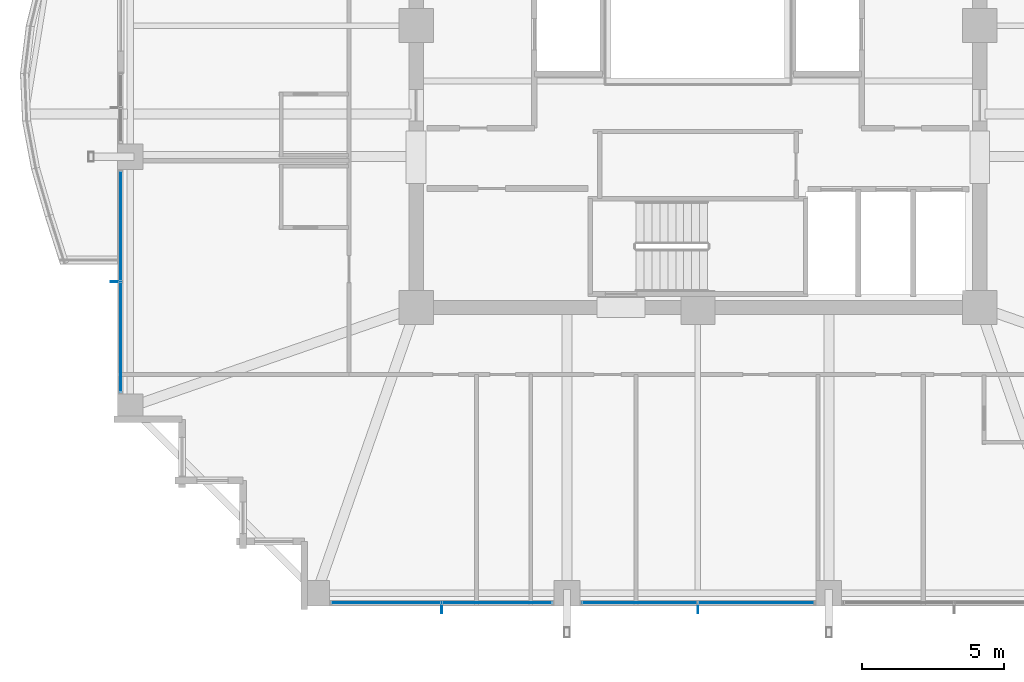
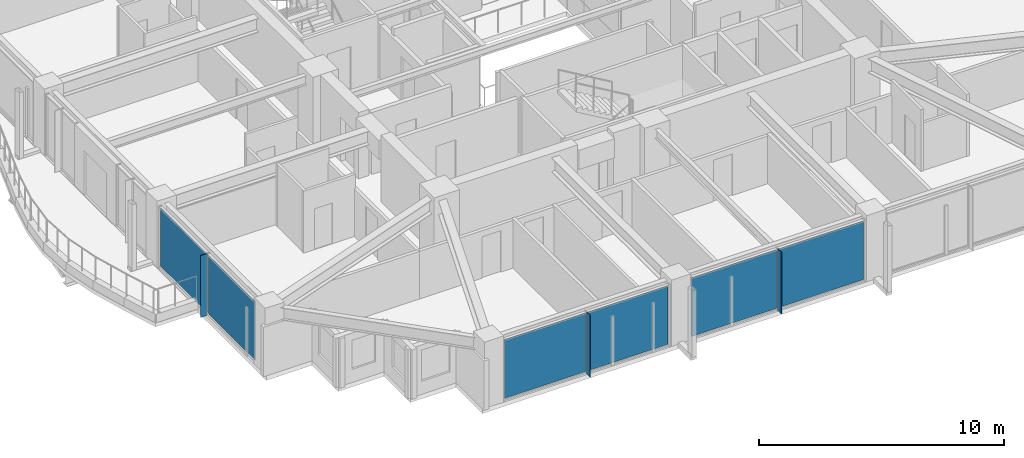
# One storey, part 22 of 35: 9 plates, 3 elements without a shape of their own.
"""IFC4 building model written with IfcOpenShell, lengths in metres."""

import ifcopenshell
import ifcopenshell.guid

model = None  # the IFC model being written
_history = None  # IfcOwnerHistory: only IFC2X3 demands one
_inside = {}  # id of a spatial element -> (the spatial element, [elements in it])
_under = {}  # id of a project, library or spatial element -> (it, [spatial elements below it])
_declared = {}  # id of a project -> (the project, [libraries it declares])
_typed = {}  # id of a type object -> (the type object, [elements of that type])
_made_of = {}  # id of a material, layer set ... -> (it, [elements and type objects made of it])


def new_model(schema):
    """Start an empty IFC model of exactly this schema.

    Asked for "IFC4X3", IfcOpenShell would pick the latest addendum, in which some entities
    have other attributes; the version numbers below select the first issue.
    IFC2X3 requires an IfcOwnerHistory on every rooted entity: one is made here for all.
    """
    global model, _history
    if schema == "IFC4X3":
        model = ifcopenshell.file(schema_version=(4, 3, 0, 0))
    else:
        model = ifcopenshell.file(schema=schema)
    _inside.clear()
    _under.clear()
    _declared.clear()
    _typed.clear()
    _made_of.clear()
    _history = None
    if model.schema == "IFC2X3":
        org = make("IfcOrganization", Name="unknown")
        user = make(
            "IfcPersonAndOrganization",
            ThePerson=make("IfcPerson", FamilyName="unknown"),
            TheOrganization=org,
        )
        app = make(
            "IfcApplication",
            ApplicationDeveloper=org,
            Version="unknown",
            ApplicationFullName="unknown",
            ApplicationIdentifier="unknown",
        )
        _history = make(
            "IfcOwnerHistory",
            OwningUser=user,
            OwningApplication=app,
            ChangeAction="ADDED",
            CreationDate=0,
        )
    return model


def make(cls, **values):
    """One entity of the class cls with the attributes given. An attribute that is None is left unset."""
    return model.create_entity(
        cls, **{name: value for name, value in values.items() if value is not None}
    )


def rooted(cls, **values):
    """An entity with a GlobalId (a new one), such as an element, a storey or a relation."""
    return make(cls, GlobalId=ifcopenshell.guid.new(), OwnerHistory=_history, **values)


def si_unit(unit_type, name, prefix=None):
    """IfcSIUnit, for example si_unit("LENGTHUNIT", "METRE", prefix="MILLI")."""
    return make("IfcSIUnit", UnitType=unit_type, Prefix=prefix, Name=name)


def assignment(units):
    """IfcUnitAssignment: the units of a project."""
    return None if units is None else make("IfcUnitAssignment", Units=units)


def point(xyz):
    """IfcCartesianPoint."""
    return None if xyz is None else make("IfcCartesianPoint", Coordinates=xyz)


def direction(xyz):
    """IfcDirection."""
    return None if xyz is None else make("IfcDirection", DirectionRatios=xyz)


def frame(location, z_axis=None, x_axis=None):
    """IfcAxis2Placement3D, a coordinate frame: its origin and axes. An axis left out is left unset."""
    return make(
        "IfcAxis2Placement3D",
        Location=point(location),
        Axis=direction(z_axis),
        RefDirection=direction(x_axis),
    )


def frame_2d(location, x_axis=None):
    """IfcAxis2Placement2D, a coordinate frame in the plane: its origin and x axis."""
    return make(
        "IfcAxis2Placement2D", Location=point(location), RefDirection=direction(x_axis)
    )


def origin():
    """The frame at (0, 0, 0) with its axes left unset."""
    return frame((0.0, 0.0, 0.0))


def origin_2d():
    """The frame at (0, 0) in the plane with its x axis left unset."""
    return frame_2d((0.0, 0.0))


def place(relative_to, where):
    """IfcLocalPlacement: puts the frame where relative to a parent placement (None: the world)."""
    return make(
        "IfcLocalPlacement", PlacementRelTo=relative_to, RelativePlacement=where
    )


def context(
    kind, dimensions, precision=None, world=None, true_north=None, identifier=None
):
    """IfcGeometricRepresentationContext, for example the 3D "Model" context."""
    return make(
        "IfcGeometricRepresentationContext",
        ContextIdentifier=identifier,
        ContextType=kind,
        CoordinateSpaceDimension=dimensions,
        Precision=precision,
        WorldCoordinateSystem=world,
        TrueNorth=true_north,
    )


def subcontext(parent, identifier, kind, view, scale=None):
    """IfcGeometricRepresentationSubContext, for example "Body" below "Model"."""
    return make(
        "IfcGeometricRepresentationSubContext",
        ContextIdentifier=identifier,
        ContextType=kind,
        ParentContext=parent,
        TargetScale=scale,
        TargetView=view,
    )


def project(units=None, contexts=None):
    """IfcProject with its units and contexts."""
    return rooted(
        "IfcProject",
        Name="project",
        RepresentationContexts=contexts,
        UnitsInContext=assignment(units),
    )


def spatial(cls, under=None, at=None, **own):
    """A site, building, storey or space (cls), placed at a placement, below another one or the project."""
    s = rooted(cls, ObjectPlacement=at, **own)
    if under is not None:
        _under.setdefault(under.id(), (under, []))[1].append(s)
    return s


def profile(cls, at=None, kind="AREA", **sizes):
    """A parametric profile (cls). Its sizes go by their IFC names, for example OverallWidth=200.0."""
    return make(cls, ProfileType=kind, Position=at, **sizes)


def rectangle(**sizes):
    """IfcRectangleProfileDef."""
    return profile("IfcRectangleProfileDef", **sizes)


def extrude(swept, where, along, depth):
    """IfcExtrudedAreaSolid: the profile swept, set in the frame where, extruded along a direction by depth."""
    return make(
        "IfcExtrudedAreaSolid",
        SweptArea=swept,
        Position=where,
        ExtrudedDirection=direction(along),
        Depth=depth,
    )


def shape(context_of_items, identifier, shape_type, items):
    """IfcShapeRepresentation: the items that make up one representation, for example the "Body"."""
    return make(
        "IfcShapeRepresentation",
        ContextOfItems=context_of_items,
        RepresentationIdentifier=identifier,
        RepresentationType=shape_type,
        Items=items,
    )


def material(Name=None, Category=None):
    """IfcMaterial."""
    return make("IfcMaterial", Name=Name, Category=Category)


def layer(
    of_material, thickness, ventilated=None, Name=None, Category=None, Priority=None
):
    """IfcMaterialLayer: one layer of a wall or slab, of a material (None: an air gap)."""
    return make(
        "IfcMaterialLayer",
        Material=of_material,
        LayerThickness=thickness,
        IsVentilated=ventilated,
        Name=Name,
        Category=Category,
        Priority=Priority,
    )


def layer_set(layers, Name=None):
    """IfcMaterialLayerSet."""
    return make("IfcMaterialLayerSet", MaterialLayers=layers, LayerSetName=Name)


def made_of(thing, what):
    """Note that an element or type object is made of a material, layer set ...; save() writes the relation."""
    if what is not None:
        _made_of.setdefault(what.id(), (what, []))[1].append(thing)
    return thing


def type_object(cls, material=None, **own):
    """A type object (cls), such as IfcWallType, which elements share."""
    return made_of(rooted(cls, **own), material)


def element(
    cls,
    number,
    at=None,
    inside=None,
    cuts=None,
    type_object=None,
    material=None,
    context=None,
    identifier="Body",
    shape_type=None,
    held_by="IfcProductDefinitionShape",
    body=None,
    shapes=None,
    **own,
):
    """One element of the class cls, such as IfcWall. Its Tag is "e" and its number.

    at: its placement. inside: the storey or other place that contains it. cuts: it is an
    opening in that element (IfcRelVoidsElement). A single representation is given by context,
    identifier, shape_type and body (its items); several are given by shapes. held_by: the class
    of the entity that holds the representations. save() writes the other relations.
    """
    e = rooted(cls, Tag="e%d" % number, ObjectPlacement=at, **own)
    if body is not None:
        shapes = [shape(context, identifier, shape_type, body)]
    if shapes is not None:
        e.Representation = make(held_by, Representations=shapes)
    if inside is not None:
        _inside.setdefault(inside.id(), (inside, []))[1].append(e)
    if cuts is not None:
        rooted(
            "IfcRelVoidsElement", RelatingBuildingElement=cuts, RelatedOpeningElement=e
        )
    if type_object is not None:
        _typed.setdefault(type_object.id(), (type_object, []))[1].append(e)
    return made_of(e, material)


def aggregate(whole, parts):
    """IfcRelAggregates: a whole, such as a stair, and the parts it consists of."""
    return rooted("IfcRelAggregates", RelatingObject=whole, RelatedObjects=parts)


def save(model, path):
    """Write the relations noted so far, then the file.

    IfcRelAggregates (storeys below a building ...), IfcRelContainedInSpatialStructure (elements
    in a storey), IfcRelDefinesByType, IfcRelAssociatesMaterial and IfcRelDeclares: one each for
    every whole, place, type object, material and project.
    """
    for whole, parts in _under.values():
        aggregate(whole, parts)
    for where, things in _inside.values():
        rooted(
            "IfcRelContainedInSpatialStructure",
            RelatedElements=things,
            RelatingStructure=where,
        )
    for kind, things in _typed.values():
        rooted("IfcRelDefinesByType", RelatedObjects=things, RelatingType=kind)
    for what, things in _made_of.values():
        rooted("IfcRelAssociatesMaterial", RelatedObjects=things, RelatingMaterial=what)
    for by, libraries in _declared.values():
        rooted("IfcRelDeclares", RelatingContext=by, RelatedDefinitions=libraries)
    model.write(path)


model = new_model("IFC4")

# Units and contexts
model_context = context("Model", 3, precision=1e-05, world=origin(), true_north=direction((0.0, 1.0)))
body_context = subcontext(model_context, "Body", "Model", "MODEL_VIEW")
ifc_project = project(units=[si_unit("LENGTHUNIT", "METRE"), si_unit("AREAUNIT", "SQUARE_METRE"), si_unit("VOLUMEUNIT", "CUBIC_METRE"), si_unit("PLANEANGLEUNIT", "RADIAN"), si_unit("MASSUNIT", "GRAM", prefix="KILO")], contexts=[model_context])

# Site, building, storey
site_placement = place(None, origin())
site = spatial("IfcSite", under=ifc_project, at=site_placement, CompositionType="ELEMENT")
building_placement = place(site_placement, origin())
building = spatial("IfcBuilding", under=site, at=building_placement, Name="Kolvaren Belvedere", CompositionType="ELEMENT")
storey_placement = place(building_placement, frame((0.0, 0.0, 176.699951171875)))
storey = spatial("IfcBuildingStorey", under=building, at=storey_placement, Name="L51", CompositionType="ELEMENT", Elevation=176.699951171875)

# Curtain wall, plates
ifc_material_1 = material(Name="Anodised pale-metal aluminium AA 6063-T6", Category="aluminium")
curtain_wall_type = type_object("IfcCurtainWallType", Name="CW-Z5-HIGH", PredefinedType="NOTDEFINED", material=ifc_material_1)
curtain_wall_1_placement = place(storey_placement, origin())
curtain_wall_1 = element("IfcCurtainWall", 1, at=curtain_wall_1_placement, inside=storey, type_object=curtain_wall_type, Name="L51 Unitised Curtain Wall FCW-L51-S-B2", PredefinedType="NOTDEFINED")
ifc_material_2 = material(Name="Low-iron triple insulated glass", Category="glass")
ifc_layer_1 = layer(ifc_material_2, 0.028076171875)
ifc_layer_set_1 = layer_set([ifc_layer_1], Name="Low-iron triple insulated glass")
plate_type_1 = type_object("IfcPlateType", Name="CW-PNL-VIS28", PredefinedType="CURTAIN_PANEL", material=ifc_layer_set_1)
plate_1_placement = place(storey_placement, frame((2.047607421875, -20.280029296875, 0.080078125), z_axis=(0.0, 0.0, 1.0), x_axis=(-1.0, 0.0, 0.0)))
plate_1 = element("IfcPlate", 2, at=plate_1_placement, type_object=plate_type_1, Name="FCW-L51-S-B2 Vision Glazing Panel 1", PredefinedType="CURTAIN_PANEL", context=body_context, shape_type="SweptSolid", body=[
    extrude(rectangle(XDim=4.014892578125, YDim=0.028076171875, at=origin_2d()), origin(), (0.0, 0.0, 1.0), 2.919921875),
])
plate_2_placement = place(storey_placement, frame((-2.047607421875, -20.280029296875, 0.080078125), z_axis=(0.0, 0.0, 1.0), x_axis=(-1.0, 0.0, 0.0)))
plate_2 = element("IfcPlate", 3, at=plate_2_placement, type_object=plate_type_1, Name="FCW-L51-S-B2 Vision Glazing Panel 2", PredefinedType="CURTAIN_PANEL", context=body_context, shape_type="SweptSolid", body=[
    extrude(rectangle(XDim=4.014892578125, YDim=0.028076171875, at=origin_2d()), origin(), (0.0, 0.0, 1.0), 2.919921875),
])
aggregate(curtain_wall_1, [plate_1, plate_2])

curtain_wall_2_placement = place(storey_placement, origin())
curtain_wall_2 = element("IfcCurtainWall", 4, at=curtain_wall_2_placement, inside=storey, type_object=curtain_wall_type, Name="L51 Unitised Curtain Wall FCW-L51-S-B3", PredefinedType="NOTDEFINED")
plate_3_placement = place(storey_placement, frame((-7.052490234375, -20.280029296875, 0.080078125), z_axis=(0.0, 0.0, 1.0), x_axis=(-1.0, 0.0, 0.0)))
plate_3 = element("IfcPlate", 5, at=plate_3_placement, type_object=plate_type_1, Name="FCW-L51-S-B3 Vision Glazing Panel 1", PredefinedType="CURTAIN_PANEL", context=body_context, shape_type="SweptSolid", body=[
    extrude(rectangle(XDim=3.81494140625, YDim=0.028076171875, at=origin_2d()), origin(), (0.0, 0.0, 1.0), 2.919921875),
])
plate_4_placement = place(storey_placement, frame((-10.947509765625, -20.280029296875, 0.080078125), z_axis=(0.0, 0.0, 1.0), x_axis=(-1.0, 0.0, 0.0)))
plate_4 = element("IfcPlate", 6, at=plate_4_placement, type_object=plate_type_1, Name="FCW-L51-S-B3 Vision Glazing Panel 2", PredefinedType="CURTAIN_PANEL", context=body_context, shape_type="SweptSolid", body=[
    extrude(rectangle(XDim=3.81494140625, YDim=0.028076171875, at=origin_2d()), origin(), (0.0, 0.0, 1.0), 2.919921875),
])
aggregate(curtain_wall_2, [plate_3, plate_4])

curtain_wall_3_placement = place(storey_placement, origin())
curtain_wall_3 = element("IfcCurtainWall", 7, at=curtain_wall_3_placement, inside=storey, type_object=curtain_wall_type, Name="L51 Unitised Curtain Wall FCW-L51-W1-B1", PredefinedType="NOTDEFINED")
plate_5_placement = place(storey_placement, frame((-20.280029296875, -10.947509765625, 0.080078125), z_axis=(0.0, 0.0, 1.0), x_axis=(0.0, 1.0, 0.0)))
plate_5 = element("IfcPlate", 8, at=plate_5_placement, type_object=plate_type_1, Name="FCW-L51-W1-B1 Vision Glazing Panel 1", PredefinedType="CURTAIN_PANEL", context=body_context, shape_type="SweptSolid", body=[
    extrude(rectangle(XDim=3.81494140625, YDim=0.028076171875, at=origin_2d()), origin(), (0.0, 0.0, 1.0), 2.919921875),
])
plate_6_placement = place(storey_placement, frame((-20.280029296875, -7.052490234375, 0.080078125), z_axis=(0.0, 0.0, 1.0), x_axis=(0.0, 1.0, 0.0)))
plate_6 = element("IfcPlate", 9, at=plate_6_placement, type_object=plate_type_1, Name="FCW-L51-W1-B1 Vision Glazing Panel 2", PredefinedType="CURTAIN_PANEL", context=body_context, shape_type="SweptSolid", body=[
    extrude(rectangle(XDim=3.81494140625, YDim=0.028076171875, at=origin_2d()), origin(), (0.0, 0.0, 1.0), 2.919921875),
])
aggregate(curtain_wall_3, [plate_5, plate_6])

# Plates
ifc_material_3 = material(Name="Anodised pale-metal aluminium AA 6063-T6", Category="aluminium")
ifc_layer_2 = layer(ifc_material_3, 0.030029296875)
ifc_layer_set_2 = layer_set([ifc_layer_2], Name="Anodised pale-metal aluminium AA 6063-T6")
plate_type_2 = type_object("IfcPlateType", Name="FIN-VERT-300", PredefinedType="USERDEFINED", material=ifc_layer_set_2)
for number, where, z_axis, x_axis, name in (
    (10, (0.0, -20.489990234375, 0.0), (0.0, 0.0, 1.0), (0.0, 1.0, 0.0), "L51 Pale-Metal Vertical Shading Fin FCW-L51-S-B2-1"),
    (11, (-9.0, -20.489990234375, 0.0), (0.0, 0.0, 1.0), (0.0, 1.0, 0.0), "L51 Pale-Metal Vertical Shading Fin FCW-L51-S-B3-1"),
    (12, (-20.489990234375, -9.0, 0.0), (0.0, 0.0, 1.0), (1.0, 0.0, 0.0), "L51 Pale-Metal Vertical Shading Fin FCW-L51-W1-B1-1"),
):
    element("IfcPlate", number, at=place(storey_placement, frame(where, z_axis=z_axis, x_axis=x_axis)), inside=storey, type_object=plate_type_2, Name=name, ObjectType="VERTICAL FIN", PredefinedType="USERDEFINED", context=body_context, shape_type="SweptSolid", body=[
        extrude(rectangle(XDim=0.300048828125, YDim=0.030029296875, at=origin_2d()), origin(), (0.0, 0.0, 1.0), 3.080078125),
    ])

save(model, "model.ifc")
